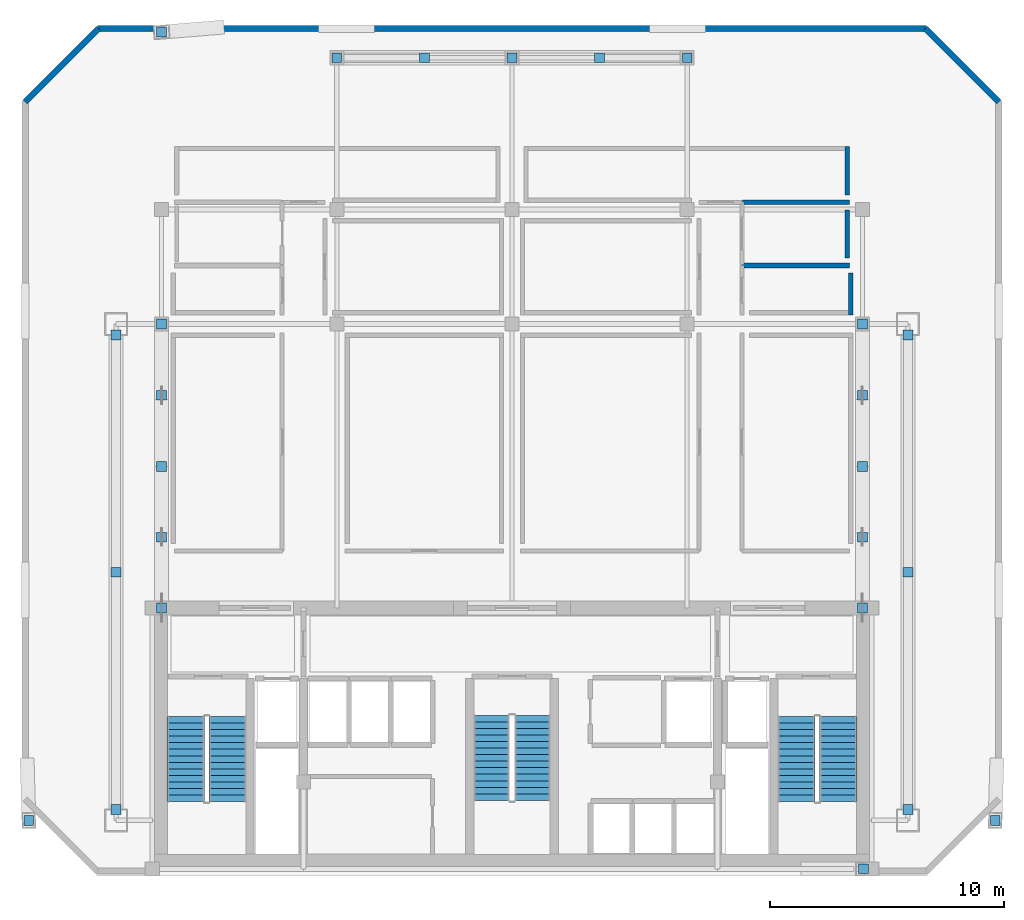
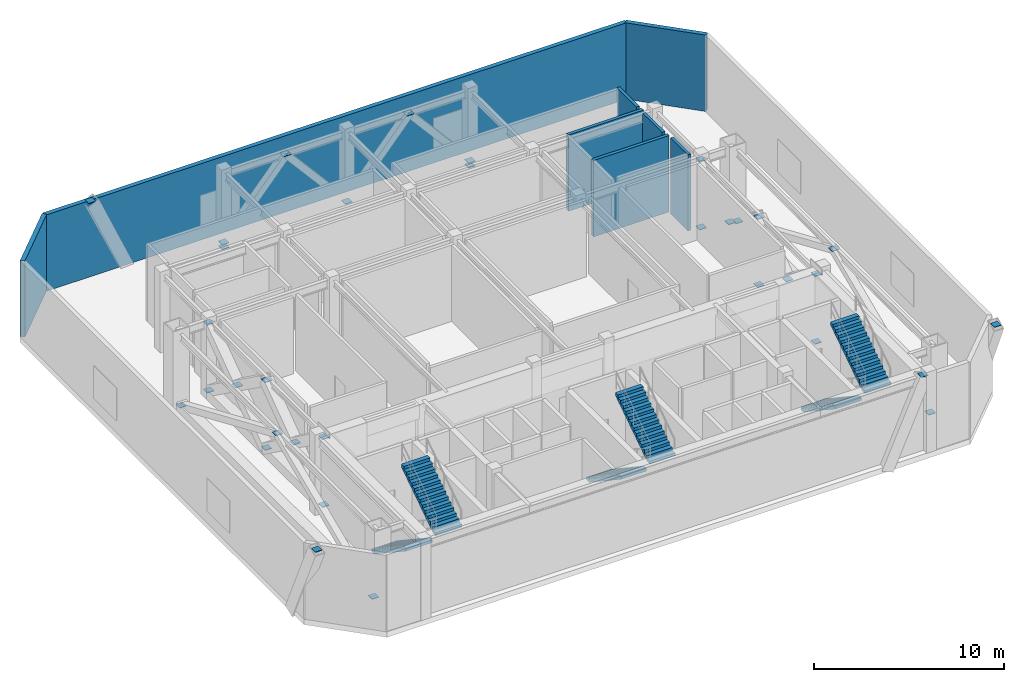
# One storey, part 5 of 7: 33 discrete accessories, 8 walls, 6 stair flights, 3 elements without a shape of their own.
"""IFC4 building model written with IfcOpenShell, lengths in metres."""

from ifc_helpers import new_model, si_unit, direction, frame, frame_2d, origin, origin_2d, place, context, subcontext, project, spatial, polyline, rectangle, outline, extrude, material, layer, layer_set, type_object, element, aggregate, save


model = new_model("IFC4")

# Units and contexts
model_context = context("Model", 3, precision=1e-05, world=origin(), true_north=direction((0.0, 1.0)))
body_context = subcontext(model_context, "Body", "Model", "MODEL_VIEW")
ifc_project = project(units=[si_unit("LENGTHUNIT", "METRE"), si_unit("AREAUNIT", "SQUARE_METRE"), si_unit("VOLUMEUNIT", "CUBIC_METRE"), si_unit("PLANEANGLEUNIT", "RADIAN"), si_unit("MASSUNIT", "GRAM", prefix="KILO")], contexts=[model_context])

# Site, building, storey
site_placement = place(None, origin())
site = spatial("IfcSite", under=ifc_project, at=site_placement, CompositionType="ELEMENT")
building_placement = place(site_placement, origin())
building = spatial("IfcBuilding", under=site, at=building_placement, Name="Ventersveld Concourse Tower", CompositionType="ELEMENT")
storey_placement = place(building_placement, frame((0.0, 0.0, 246.5)))
storey = spatial("IfcBuildingStorey", under=building, at=storey_placement, Name="L61", CompositionType="ELEMENT", Elevation=246.5)

# Walls
ifc_material_1 = material(Name="Fire-rated autoclaved aerated masonry blockwork", Category="masonry")
ifc_layer_1 = layer(ifc_material_1, 0.179931640625)
ifc_layer_set_1 = layer_set([ifc_layer_1], Name="Fire-rated autoclaved aerated masonry blockwork")
wall_type_1 = type_object("IfcWallType", Name="WL-CORR-180", PredefinedType="PARTITIONING", material=ifc_layer_set_1)
wall_1_placement = place(storey_placement, frame((43.10009765625, 29.135009765625, 0.0), z_axis=(0.0, 0.0, 1.0), x_axis=(0.0, 1.0, 0.0)))
element("IfcWall", 1, at=wall_1_placement, inside=storey, type_object=wall_type_1, Name="L61 Room Enclosure Wall SP-L61-REF-8", PredefinedType="PARTITIONING", context=body_context, shape_type="SweptSolid", body=[
    extrude(rectangle(XDim=2.070068359375, YDim=0.179931640625, at=frame_2d((1.03515625, 0.0))), origin(), (0.0, 0.0, 1.0), 4.919921875),
])
wall_2_placement = place(storey_placement, frame((43.25, 23.985107421875, 0.0), z_axis=(0.0, 0.0, 1.0), x_axis=(0.0, 1.0, 0.0)))
element("IfcWall", 2, at=wall_2_placement, inside=storey, type_object=wall_type_1, Name="L61 Room Enclosure Wall SP-L61-REF-10", PredefinedType="PARTITIONING", context=body_context, shape_type="SweptSolid", body=[
    extrude(rectangle(XDim=1.803955078125, YDim=0.179931640625, at=frame_2d((0.90185546875, 0.0))), origin(), (0.0, 0.0, 1.0), 4.919921875),
])
wall_3_placement = place(storey_placement, frame((43.10009765625, 26.43505859375, 0.0), z_axis=(0.0, 0.0, 1.0), x_axis=(0.0, 1.0, 0.0)))
element("IfcWall", 3, at=wall_3_placement, inside=storey, type_object=wall_type_1, Name="L61 Room Enclosure Wall SP-L61-PLT-CHL", PredefinedType="PARTITIONING", context=body_context, shape_type="SweptSolid", body=[
    extrude(rectangle(XDim=2.050048828125, YDim=0.179931640625, at=frame_2d((1.02490234375, 0.0))), origin(), (0.0, 0.0, 1.0), 4.919921875),
])
ifc_layer_2 = layer(ifc_material_1, 0.199951171875)
ifc_layer_set_2 = layer_set([ifc_layer_2], Name="Fire-rated autoclaved aerated masonry blockwork")
wall_type_2 = type_object("IfcWallType", Name="WL-DEMISE-200", PredefinedType="PARTITIONING", material=ifc_layer_set_2)
wall_4_placement = place(storey_placement, frame((38.625, 28.81005859375, 0.0), z_axis=(0.0, 0.0, 1.0), x_axis=(1.0, 0.0, 0.0)))
element("IfcWall", 4, at=wall_4_placement, inside=storey, type_object=wall_type_2, Name="L61 Interior Partition SP-L61-REF-8-SP-L61-PLT-CHL", PredefinedType="PARTITIONING", context=body_context, shape_type="SweptSolid", body=[
    extrude(rectangle(XDim=4.570068359375, YDim=0.199951171875, at=frame_2d((2.28515625, 0.0))), origin(), (0.0, 0.0, 1.0), 4.919921875),
])
wall_5_placement = place(storey_placement, frame((38.5849609375, 26.110107421875, 0.0), z_axis=(0.0, 0.0, 1.0), x_axis=(1.0, 0.0, 0.0)))
element("IfcWall", 5, at=wall_5_placement, inside=storey, type_object=wall_type_2, Name="L61 Interior Partition SP-L61-REF-10-SP-L61-PLT-CHL", PredefinedType="PARTITIONING", context=body_context, shape_type="SweptSolid", body=[
    extrude(rectangle(XDim=4.610107421875, YDim=0.199951171875, at=frame_2d((2.30517578125, 0.0))), origin(), (0.0, 0.0, 1.0), 4.919921875),
])
ifc_material_2 = material(Name="Precast concrete C45/55", Category="concrete")
ifc_layer_3 = layer(ifc_material_2, 0.260009765625)
ifc_layer_set_3 = layer_set([ifc_layer_3], Name="Precast concrete C45/55")
wall_type_3 = type_object("IfcWallType", Name="WL-PREC-260", PredefinedType="SOLIDWALL", material=ifc_layer_set_3)
wall_6_placement = place(storey_placement, frame((49.595458984375, 33.114013671875, 0.0), z_axis=(0.0, 0.0, 1.0), x_axis=(-0.707134240044, 0.707079321262, 0.0)))
element("IfcWall", 6, at=wall_6_placement, inside=storey, type_object=wall_type_3, Name="L61 Highveld Precast Facade Wall E04", PredefinedType="SOLIDWALL", context=body_context, shape_type="SweptSolid", body=[
    extrude(rectangle(XDim=4.445556640625, YDim=0.260009765625, at=frame_2d((2.22265625, 0.0))), origin(), (0.0, 0.0, 1.0), 4.919921875),
])
wall_7_placement = place(storey_placement, frame((46.4755859375, 36.24755859375, 0.0), z_axis=(0.0, 0.0, 1.0), x_axis=(-1.0, 0.0, 0.0)))
element("IfcWall", 7, at=wall_7_placement, inside=storey, type_object=wall_type_3, Name="L61 Highveld Precast Facade Wall E05", PredefinedType="SOLIDWALL", context=body_context, shape_type="SweptSolid", body=[
    extrude(rectangle(XDim=35.451171875, YDim=0.260009765625, at=frame_2d((17.7255859375, 0.0))), origin(), (0.0, 0.0, 1.0), 4.919921875),
])
wall_8_placement = place(storey_placement, frame((11.048095703125, 36.25732421875, 0.0), z_axis=(0.0, 0.0, 1.0), x_axis=(-0.707134240044, -0.707079321262, 0.0)))
element("IfcWall", 8, at=wall_8_placement, inside=storey, type_object=wall_type_3, Name="L61 Highveld Precast Facade Wall E06", PredefinedType="SOLIDWALL", context=body_context, shape_type="SweptSolid", body=[
    extrude(rectangle(XDim=4.445556640625, YDim=0.260009765625, at=frame_2d((2.22265625, 0.0))), origin(), (0.0, 0.0, 1.0), 4.919921875),
])

# Stair, stair flights
ifc_material_3 = material(Name="Concrete C50/60", Category="concrete")
stair_type_1 = type_object("IfcStairType", Name="ST-DOG-155", PredefinedType="HALF_TURN_STAIR", material=ifc_material_3)
stair_1_placement = place(storey_placement, origin())
stair_1 = element("IfcStair", 9, at=stair_1_placement, inside=storey, type_object=stair_type_1, Name="L61 Protected Central Core Escape Stair ST-03", PredefinedType="HALF_TURN_STAIR")
stair_flight_type_1 = type_object("IfcStairFlightType", Name="STF-RC-155", PredefinedType="STRAIGHT", material=ifc_material_3)
stair_flight_1_placement = place(storey_placement, frame((27.875, 6.85009765625, 0.0), z_axis=(0.0, 0.0, 1.0), x_axis=(0.0, -1.0, 0.0)))
stair_flight_1 = element("IfcStairFlight", 10, at=stair_flight_1_placement, type_object=stair_flight_type_1, Name="ST-03 flight 1", NumberOfRisers=14, NumberOfTreads=13, PredefinedType="STRAIGHT", RiserHeight=0.185714286, TreadLength=0.28, context=body_context, shape_type="SweptSolid", body=[
    extrude(outline(polyline([(0.0, 0.0), (0.0, 0.185791015625), (0.280029296875, 0.185791015625), (0.280029296875, 0.371337890625), (0.56005859375, 0.371337890625), (0.56005859375, 0.55712890625), (0.840087890625, 0.55712890625), (0.840087890625, 0.742919921875), (1.1201171875, 0.742919921875), (1.1201171875, 0.928466796875), (1.39990234375, 0.928466796875), (1.39990234375, 1.1142578125), (1.679931640625, 1.1142578125), (1.679931640625, 1.300048828125), (1.9599609375, 1.300048828125), (1.9599609375, 1.485595703125), (2.239990234375, 1.485595703125), (2.239990234375, 1.67138671875), (2.52001953125, 1.67138671875), (2.52001953125, 1.857177734375), (2.800048828125, 1.857177734375), (2.800048828125, 2.04296875), (3.080078125, 2.04296875), (3.080078125, 2.228515625), (3.360107421875, 2.228515625), (3.360107421875, 2.414306640625), (3.639892578125, 2.414306640625), (3.639892578125, 2.60009765625), (3.639892578125, 2.234375), (0.271240234375, 0.0), (0.0, 0.0)])), frame((0.0, 0.77490234375, 0.0), z_axis=(0.0, -1.0, 0.0), x_axis=(1.0, 0.0, 0.0)), (0.0, 0.0, 1.0), 1.550048828125),
])
stair_flight_2_placement = place(storey_placement, frame((29.625, 3.2099609375, 2.60009765625), z_axis=(0.0, 0.0, 1.0), x_axis=(0.0, 1.0, 0.0)))
stair_flight_2 = element("IfcStairFlight", 11, at=stair_flight_2_placement, type_object=stair_flight_type_1, Name="ST-03 flight 2", NumberOfRisers=14, NumberOfTreads=13, PredefinedType="STRAIGHT", RiserHeight=0.185714286, TreadLength=0.28, context=body_context, shape_type="SweptSolid", body=[
    extrude(outline(polyline([(0.0, 0.0), (0.0, 0.185791015625), (0.280029296875, 0.185791015625), (0.280029296875, 0.371337890625), (0.56005859375, 0.371337890625), (0.56005859375, 0.55712890625), (0.840087890625, 0.55712890625), (0.840087890625, 0.742919921875), (1.1201171875, 0.742919921875), (1.1201171875, 0.928466796875), (1.39990234375, 0.928466796875), (1.39990234375, 1.1142578125), (1.679931640625, 1.1142578125), (1.679931640625, 1.300048828125), (1.9599609375, 1.300048828125), (1.9599609375, 1.485595703125), (2.239990234375, 1.485595703125), (2.239990234375, 1.67138671875), (2.52001953125, 1.67138671875), (2.52001953125, 1.857177734375), (2.800048828125, 1.857177734375), (2.800048828125, 2.04296875), (3.080078125, 2.04296875), (3.080078125, 2.228515625), (3.360107421875, 2.228515625), (3.360107421875, 2.414306640625), (3.639892578125, 2.414306640625), (3.639892578125, 2.60009765625), (3.639892578125, 2.234375), (0.271240234375, 0.0), (0.0, 0.0)])), frame((0.0, 0.77490234375, 0.0), z_axis=(0.0, -1.0, 0.0), x_axis=(1.0, 0.0, 0.0)), (0.0, 0.0, 1.0), 1.550048828125),
])
aggregate(stair_1, [stair_flight_1, stair_flight_2])

stair_type_2 = type_object("IfcStairType", Name="ST-DOG-160", PredefinedType="HALF_TURN_STAIR", material=ifc_material_3)
stair_2_placement = place(storey_placement, origin())
stair_2 = element("IfcStair", 12, at=stair_2_placement, inside=storey, type_object=stair_type_2, Name="L61 Protected Tower Escape Stair ST-01", PredefinedType="HALF_TURN_STAIR")
stair_flight_type_2 = type_object("IfcStairFlightType", Name="STF-RC-160", PredefinedType="STRAIGHT", material=ifc_material_3)
stair_flight_3_placement = place(storey_placement, frame((14.780029296875, 6.800048828125, 0.0), z_axis=(0.0, 0.0, 1.0), x_axis=(0.0, -1.0, 0.0)))
stair_flight_3 = element("IfcStairFlight", 13, at=stair_flight_3_placement, type_object=stair_flight_type_2, Name="ST-01 flight 1", NumberOfRisers=14, NumberOfTreads=13, PredefinedType="STRAIGHT", RiserHeight=0.185714286, TreadLength=0.28, context=body_context, shape_type="SweptSolid", body=[
    extrude(outline(polyline([(0.0, 0.0), (0.0, 0.185791015625), (0.280029296875, 0.185791015625), (0.280029296875, 0.371337890625), (0.56005859375, 0.371337890625), (0.56005859375, 0.55712890625), (0.840087890625, 0.55712890625), (0.840087890625, 0.742919921875), (1.1201171875, 0.742919921875), (1.1201171875, 0.928466796875), (1.39990234375, 0.928466796875), (1.39990234375, 1.1142578125), (1.679931640625, 1.1142578125), (1.679931640625, 1.300048828125), (1.9599609375, 1.300048828125), (1.9599609375, 1.485595703125), (2.239990234375, 1.485595703125), (2.239990234375, 1.67138671875), (2.52001953125, 1.67138671875), (2.52001953125, 1.857177734375), (2.800048828125, 1.857177734375), (2.800048828125, 2.04296875), (3.080078125, 2.04296875), (3.080078125, 2.228515625), (3.360107421875, 2.228515625), (3.360107421875, 2.414306640625), (3.639892578125, 2.414306640625), (3.639892578125, 2.60009765625), (3.639892578125, 2.234375), (0.271240234375, 0.0), (0.0, 0.0)])), frame((0.0, 0.800048828125, 0.0), z_axis=(0.0, -1.0, 0.0), x_axis=(1.0, 0.0, 0.0)), (0.0, 0.0, 1.0), 1.60009765625),
])
stair_flight_4_placement = place(storey_placement, frame((16.580078125, 3.159912109375, 2.60009765625), z_axis=(0.0, 0.0, 1.0), x_axis=(0.0, 1.0, 0.0)))
stair_flight_4 = element("IfcStairFlight", 14, at=stair_flight_4_placement, type_object=stair_flight_type_2, Name="ST-01 flight 2", NumberOfRisers=14, NumberOfTreads=13, PredefinedType="STRAIGHT", RiserHeight=0.185714286, TreadLength=0.28, context=body_context, shape_type="SweptSolid", body=[
    extrude(outline(polyline([(0.0, 0.0), (0.0, 0.185791015625), (0.280029296875, 0.185791015625), (0.280029296875, 0.371337890625), (0.56005859375, 0.371337890625), (0.56005859375, 0.55712890625), (0.840087890625, 0.55712890625), (0.840087890625, 0.742919921875), (1.1201171875, 0.742919921875), (1.1201171875, 0.928466796875), (1.39990234375, 0.928466796875), (1.39990234375, 1.1142578125), (1.679931640625, 1.1142578125), (1.679931640625, 1.300048828125), (1.9599609375, 1.300048828125), (1.9599609375, 1.485595703125), (2.239990234375, 1.485595703125), (2.239990234375, 1.67138671875), (2.52001953125, 1.67138671875), (2.52001953125, 1.857177734375), (2.800048828125, 1.857177734375), (2.800048828125, 2.04296875), (3.080078125, 2.04296875), (3.080078125, 2.228515625), (3.360107421875, 2.228515625), (3.360107421875, 2.414306640625), (3.639892578125, 2.414306640625), (3.639892578125, 2.60009765625), (3.639892578125, 2.234375), (0.271240234375, 0.0), (0.0, 0.0)])), frame((0.0, 0.800048828125, 0.0), z_axis=(0.0, -1.0, 0.0), x_axis=(1.0, 0.0, 0.0)), (0.0, 0.0, 1.0), 1.60009765625),
])
aggregate(stair_2, [stair_flight_3, stair_flight_4])

stair_3_placement = place(storey_placement, origin())
stair_3 = element("IfcStair", 15, at=stair_3_placement, inside=storey, type_object=stair_type_2, Name="L61 Protected Tower Escape Stair ST-02", PredefinedType="HALF_TURN_STAIR")
stair_flight_5_placement = place(storey_placement, frame((40.919921875, 6.800048828125, 0.0), z_axis=(0.0, 0.0, 1.0), x_axis=(0.0, -1.0, 0.0)))
stair_flight_5 = element("IfcStairFlight", 16, at=stair_flight_5_placement, type_object=stair_flight_type_2, Name="ST-02 flight 1", NumberOfRisers=14, NumberOfTreads=13, PredefinedType="STRAIGHT", RiserHeight=0.185714286, TreadLength=0.28, context=body_context, shape_type="SweptSolid", body=[
    extrude(outline(polyline([(0.0, 0.0), (0.0, 0.185791015625), (0.280029296875, 0.185791015625), (0.280029296875, 0.371337890625), (0.56005859375, 0.371337890625), (0.56005859375, 0.55712890625), (0.840087890625, 0.55712890625), (0.840087890625, 0.742919921875), (1.1201171875, 0.742919921875), (1.1201171875, 0.928466796875), (1.39990234375, 0.928466796875), (1.39990234375, 1.1142578125), (1.679931640625, 1.1142578125), (1.679931640625, 1.300048828125), (1.9599609375, 1.300048828125), (1.9599609375, 1.485595703125), (2.239990234375, 1.485595703125), (2.239990234375, 1.67138671875), (2.52001953125, 1.67138671875), (2.52001953125, 1.857177734375), (2.800048828125, 1.857177734375), (2.800048828125, 2.04296875), (3.080078125, 2.04296875), (3.080078125, 2.228515625), (3.360107421875, 2.228515625), (3.360107421875, 2.414306640625), (3.639892578125, 2.414306640625), (3.639892578125, 2.60009765625), (3.639892578125, 2.234375), (0.271240234375, 0.0), (0.0, 0.0)])), frame((0.0, 0.800048828125, 0.0), z_axis=(0.0, -1.0, 0.0), x_axis=(1.0, 0.0, 0.0)), (0.0, 0.0, 1.0), 1.60009765625),
])
stair_flight_6_placement = place(storey_placement, frame((42.719970703125, 3.159912109375, 2.60009765625), z_axis=(0.0, 0.0, 1.0), x_axis=(0.0, 1.0, 0.0)))
stair_flight_6 = element("IfcStairFlight", 17, at=stair_flight_6_placement, type_object=stair_flight_type_2, Name="ST-02 flight 2", NumberOfRisers=14, NumberOfTreads=13, PredefinedType="STRAIGHT", RiserHeight=0.185714286, TreadLength=0.28, context=body_context, shape_type="SweptSolid", body=[
    extrude(outline(polyline([(0.0, 0.0), (0.0, 0.185791015625), (0.280029296875, 0.185791015625), (0.280029296875, 0.371337890625), (0.56005859375, 0.371337890625), (0.56005859375, 0.55712890625), (0.840087890625, 0.55712890625), (0.840087890625, 0.742919921875), (1.1201171875, 0.742919921875), (1.1201171875, 0.928466796875), (1.39990234375, 0.928466796875), (1.39990234375, 1.1142578125), (1.679931640625, 1.1142578125), (1.679931640625, 1.300048828125), (1.9599609375, 1.300048828125), (1.9599609375, 1.485595703125), (2.239990234375, 1.485595703125), (2.239990234375, 1.67138671875), (2.52001953125, 1.67138671875), (2.52001953125, 1.857177734375), (2.800048828125, 1.857177734375), (2.800048828125, 2.04296875), (3.080078125, 2.04296875), (3.080078125, 2.228515625), (3.360107421875, 2.228515625), (3.360107421875, 2.414306640625), (3.639892578125, 2.414306640625), (3.639892578125, 2.60009765625), (3.639892578125, 2.234375), (0.271240234375, 0.0), (0.0, 0.0)])), frame((0.0, 0.800048828125, 0.0), z_axis=(0.0, -1.0, 0.0), x_axis=(1.0, 0.0, 0.0)), (0.0, 0.0, 1.0), 1.60009765625),
])
aggregate(stair_3, [stair_flight_5, stair_flight_6])

# Discrete accessories
ifc_material_4 = material(Name="Structural steel S355J2", Category="steel")
discrete_accessory_type = type_object("IfcDiscreteAccessoryType", Name="CONN-BRACE-ECP1", PredefinedType="BRACKET", material=ifc_material_4)
for number, where, z_axis, x_axis, name in (
    (18, (21.25, 35.0, -0.02001953125), (0.0, 0.0, 1.0), (1.0, 0.0, 0.0), "L61 Steel Brace End Connection Plate ECP1-0082"),
    (19, (25.0, 35.0, 4.64990234375), (0.0, 0.0, 1.0), (1.0, 0.0, 0.0), "L61 Steel Brace End Connection Plate ECP1-0083"),
    (20, (36.25, 35.0, -0.02001953125), (0.0, 0.0, 1.0), (1.0, 0.0, 0.0), "L61 Steel Brace End Connection Plate ECP1-0084"),
    (21, (32.5, 35.0, 4.64990234375), (0.0, 0.0, 1.0), (1.0, 0.0, 0.0), "L61 Steel Brace End Connection Plate ECP1-0085"),
    (22, (13.75, 11.449951171875, 0.280029296875), (0.0, 0.0, 1.0), (1.0, 0.0, 0.0), "L61 Steel Brace End Connection Plate ECP1-0086"),
    (23, (13.75, 17.5, 4.64990234375), (0.0, 0.0, 1.0), (1.0, 0.0, 0.0), "L61 Steel Brace End Connection Plate ECP1-0087"),
    (24, (13.75, 11.449951171875, 4.64990234375), (0.0, 0.0, 1.0), (1.0, 0.0, 0.0), "L61 Steel Brace End Connection Plate ECP1-0088"),
    (25, (13.75, 14.47509765625, 2.465087890625), (0.0, 0.0, 1.0), (1.0, 0.0, 0.0), "L61 Steel Brace End Connection Plate ECP1-0089"),
    (26, (13.75, 17.5, 0.280029296875), (0.0, 0.0, 1.0), (1.0, 0.0, 0.0), "L61 Steel Brace End Connection Plate ECP1-0090"),
    (27, (13.75, 23.60009765625, 0.280029296875), (0.0, 0.0, 1.0), (1.0, 0.0, 0.0), "L61 Steel Brace End Connection Plate ECP1-0091"),
    (28, (13.75, 20.550048828125, 2.465087890625), (0.0, 0.0, 1.0), (1.0, 0.0, 0.0), "L61 Steel Brace End Connection Plate ECP1-0092"),
    (29, (13.75, 23.60009765625, 4.64990234375), (0.0, 0.0, 1.0), (1.0, 0.0, 0.0), "L61 Steel Brace End Connection Plate ECP1-0093"),
    (30, (43.75, 11.449951171875, 0.280029296875), (0.0, 0.0, 1.0), (1.0, 0.0, 0.0), "L61 Steel Brace End Connection Plate ECP1-0094"),
    (31, (43.75, 17.5, 4.64990234375), (0.0, 0.0, 1.0), (1.0, 0.0, 0.0), "L61 Steel Brace End Connection Plate ECP1-0095"),
    (32, (43.75, 11.449951171875, 4.64990234375), (0.0, 0.0, 1.0), (1.0, 0.0, 0.0), "L61 Steel Brace End Connection Plate ECP1-0096"),
    (33, (43.75, 14.47509765625, 2.465087890625), (0.0, 0.0, 1.0), (1.0, 0.0, 0.0), "L61 Steel Brace End Connection Plate ECP1-0097"),
    (34, (43.75, 17.5, 0.280029296875), (0.0, 0.0, 1.0), (1.0, 0.0, 0.0), "L61 Steel Brace End Connection Plate ECP1-0098"),
    (35, (43.75, 23.60009765625, 0.280029296875), (0.0, 0.0, 1.0), (1.0, 0.0, 0.0), "L61 Steel Brace End Connection Plate ECP1-0099"),
    (36, (43.75, 20.550048828125, 2.465087890625), (0.0, 0.0, 1.0), (1.0, 0.0, 0.0), "L61 Steel Brace End Connection Plate ECP1-0100"),
    (37, (43.75, 23.60009765625, 4.64990234375), (0.0, 0.0, 1.0), (1.0, 0.0, 0.0), "L61 Steel Brace End Connection Plate ECP1-0101"),
    (38, (21.25, 35.0, 0.280029296875), (0.0, 0.0, 1.0), (1.0, 0.0, 0.0), "L61 Steel Brace End Connection Plate ECP1-0102"),
    (39, (28.75, 35.0, 0.280029296875), (0.0, 0.0, 1.0), (1.0, 0.0, 0.0), "L61 Steel Brace End Connection Plate ECP1-0103"),
    (40, (36.25, 35.0, 0.280029296875), (0.0, 0.0, 1.0), (1.0, 0.0, 0.0), "L61 Steel Brace End Connection Plate ECP1-0104"),
    (41, (11.800048828125, 2.820068359375, 0.280029296875), (0.0, 0.0, 1.0), (1.0, 0.0, 0.0), "L61 Steel Brace End Connection Plate ECP1-0105"),
    (42, (11.800048828125, 12.97509765625, 4.64990234375), (0.0, 0.0, 1.0), (1.0, 0.0, 0.0), "L61 Steel Brace End Connection Plate ECP1-0106"),
    (43, (11.800048828125, 23.1298828125, 0.280029296875), (0.0, 0.0, 1.0), (1.0, 0.0, 0.0), "L61 Steel Brace End Connection Plate ECP1-0107"),
    (44, (45.699951171875, 2.820068359375, 0.280029296875), (0.0, 0.0, 1.0), (1.0, 0.0, 0.0), "L61 Steel Brace End Connection Plate ECP1-0108"),
    (45, (45.699951171875, 12.97509765625, 4.64990234375), (0.0, 0.0, 1.0), (1.0, 0.0, 0.0), "L61 Steel Brace End Connection Plate ECP1-0109"),
    (46, (45.699951171875, 23.1298828125, 0.280029296875), (0.0, 0.0, 1.0), (1.0, 0.0, 0.0), "L61 Steel Brace End Connection Plate ECP1-0110"),
    (47, (13.75, 36.097412109375, 4.89990234375), (0.0, 0.0, 1.0), (1.0, 0.0, 0.0), "L61 Steel Brace End Connection Plate ECP1-0423"),
    (48, (43.800048828125, 0.280029296875, 4.89990234375), (0.0, 0.0, 1.0), (1.0, 0.0, 0.0), "L61 Steel Brace End Connection Plate ECP1-0427"),
    (49, (8.064453125, 2.35009765625, 4.89990234375), (0.0, 0.0, 1.0), (1.0, 0.0, 0.0), "L61 Steel Brace End Connection Plate ECP1-0431"),
    (50, (49.435546875, 2.35009765625, 4.89990234375), (0.0, 0.0, 1.0), (1.0, 0.0, 0.0), "L61 Steel Brace End Connection Plate ECP1-0435"),
):
    element("IfcDiscreteAccessory", number, at=place(storey_placement, frame(where, z_axis=z_axis, x_axis=x_axis)), inside=storey, type_object=discrete_accessory_type, Name=name, PredefinedType="BRACKET", context=body_context, shape_type="SweptSolid", body=[
        extrude(rectangle(XDim=0.419921875, YDim=0.419921875, at=origin_2d()), origin(), (0.0, 0.0, 1.0), 0.0400390625),
    ])

save(model, "model.ifc")
